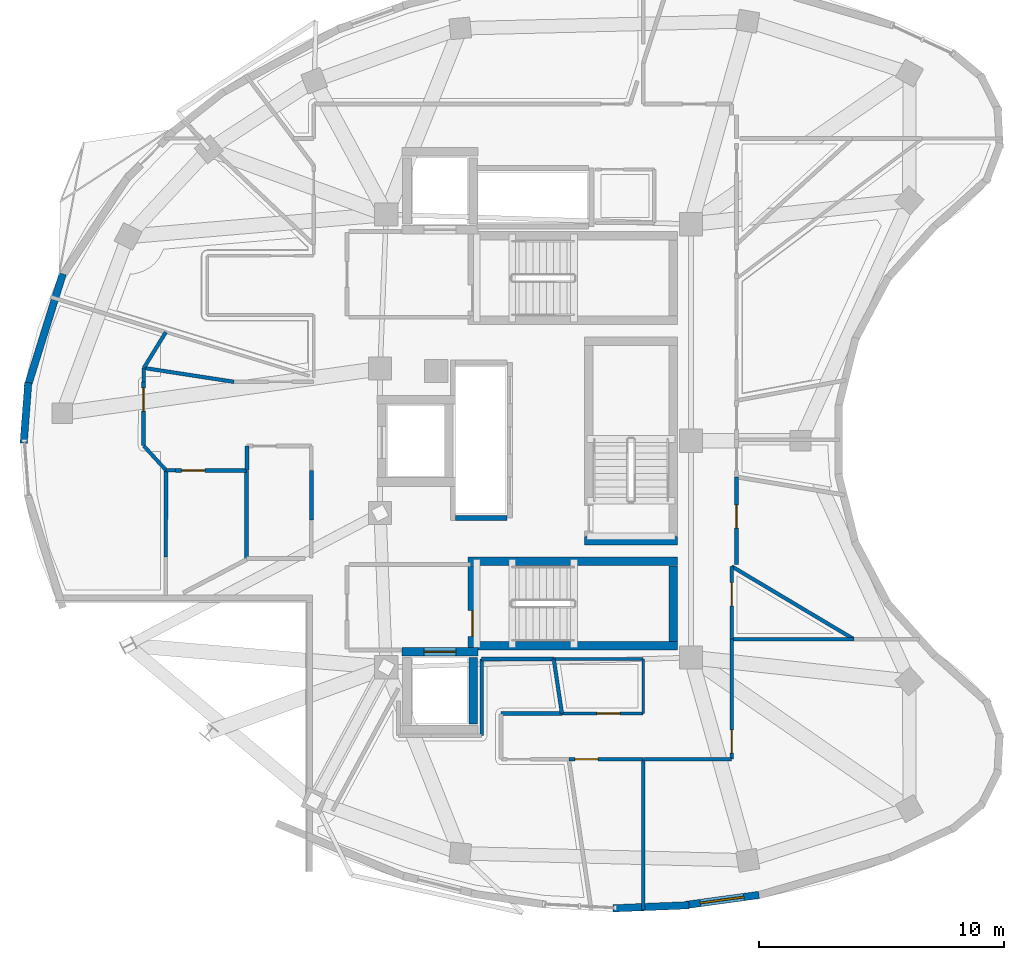
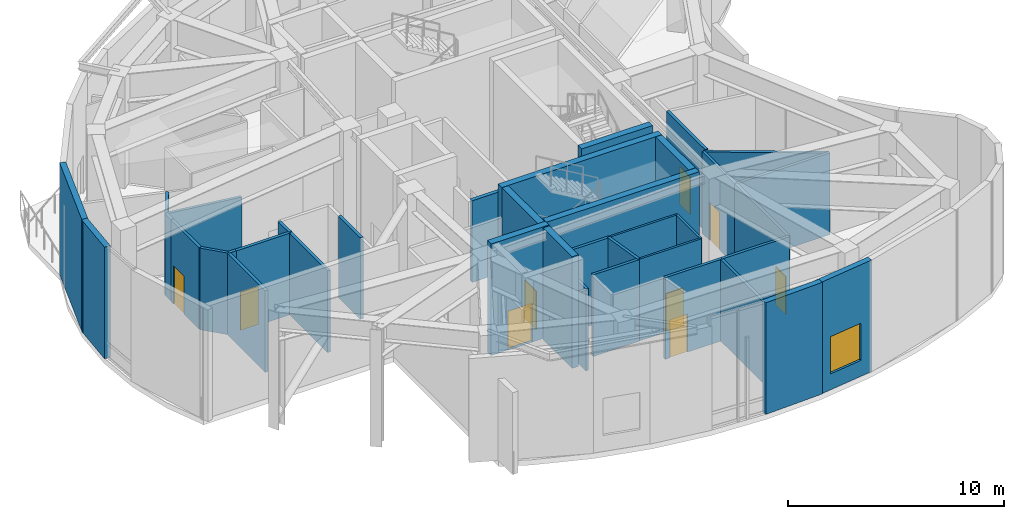
# One storey, part 6 of 12: 38 walls, 9 doors, 1 window, 10 openings.
"""IFC4 building model written with IfcOpenShell, lengths in metres."""

import ifcopenshell
import ifcopenshell.guid

model = None  # the IFC model being written
_history = None  # IfcOwnerHistory: only IFC2X3 demands one
_inside = {}  # id of a spatial element -> (the spatial element, [elements in it])
_under = {}  # id of a project, library or spatial element -> (it, [spatial elements below it])
_declared = {}  # id of a project -> (the project, [libraries it declares])
_typed = {}  # id of a type object -> (the type object, [elements of that type])
_made_of = {}  # id of a material, layer set ... -> (it, [elements and type objects made of it])


def new_model(schema):
    """Start an empty IFC model of exactly this schema.

    Asked for "IFC4X3", IfcOpenShell would pick the latest addendum, in which some entities
    have other attributes; the version numbers below select the first issue.
    IFC2X3 requires an IfcOwnerHistory on every rooted entity: one is made here for all.
    """
    global model, _history
    if schema == "IFC4X3":
        model = ifcopenshell.file(schema_version=(4, 3, 0, 0))
    else:
        model = ifcopenshell.file(schema=schema)
    _inside.clear()
    _under.clear()
    _declared.clear()
    _typed.clear()
    _made_of.clear()
    _history = None
    if model.schema == "IFC2X3":
        org = make("IfcOrganization", Name="unknown")
        user = make(
            "IfcPersonAndOrganization",
            ThePerson=make("IfcPerson", FamilyName="unknown"),
            TheOrganization=org,
        )
        app = make(
            "IfcApplication",
            ApplicationDeveloper=org,
            Version="unknown",
            ApplicationFullName="unknown",
            ApplicationIdentifier="unknown",
        )
        _history = make(
            "IfcOwnerHistory",
            OwningUser=user,
            OwningApplication=app,
            ChangeAction="ADDED",
            CreationDate=0,
        )
    return model


def make(cls, **values):
    """One entity of the class cls with the attributes given. An attribute that is None is left unset."""
    return model.create_entity(
        cls, **{name: value for name, value in values.items() if value is not None}
    )


def rooted(cls, **values):
    """An entity with a GlobalId (a new one), such as an element, a storey or a relation."""
    return make(cls, GlobalId=ifcopenshell.guid.new(), OwnerHistory=_history, **values)


def si_unit(unit_type, name, prefix=None):
    """IfcSIUnit, for example si_unit("LENGTHUNIT", "METRE", prefix="MILLI")."""
    return make("IfcSIUnit", UnitType=unit_type, Prefix=prefix, Name=name)


def assignment(units):
    """IfcUnitAssignment: the units of a project."""
    return None if units is None else make("IfcUnitAssignment", Units=units)


def point(xyz):
    """IfcCartesianPoint."""
    return None if xyz is None else make("IfcCartesianPoint", Coordinates=xyz)


def direction(xyz):
    """IfcDirection."""
    return None if xyz is None else make("IfcDirection", DirectionRatios=xyz)


def frame(location, z_axis=None, x_axis=None):
    """IfcAxis2Placement3D, a coordinate frame: its origin and axes. An axis left out is left unset."""
    return make(
        "IfcAxis2Placement3D",
        Location=point(location),
        Axis=direction(z_axis),
        RefDirection=direction(x_axis),
    )


def frame_2d(location, x_axis=None):
    """IfcAxis2Placement2D, a coordinate frame in the plane: its origin and x axis."""
    return make(
        "IfcAxis2Placement2D", Location=point(location), RefDirection=direction(x_axis)
    )


def origin():
    """The frame at (0, 0, 0) with its axes left unset."""
    return frame((0.0, 0.0, 0.0))


def place(relative_to, where):
    """IfcLocalPlacement: puts the frame where relative to a parent placement (None: the world)."""
    return make(
        "IfcLocalPlacement", PlacementRelTo=relative_to, RelativePlacement=where
    )


def context(
    kind, dimensions, precision=None, world=None, true_north=None, identifier=None
):
    """IfcGeometricRepresentationContext, for example the 3D "Model" context."""
    return make(
        "IfcGeometricRepresentationContext",
        ContextIdentifier=identifier,
        ContextType=kind,
        CoordinateSpaceDimension=dimensions,
        Precision=precision,
        WorldCoordinateSystem=world,
        TrueNorth=true_north,
    )


def subcontext(parent, identifier, kind, view, scale=None):
    """IfcGeometricRepresentationSubContext, for example "Body" below "Model"."""
    return make(
        "IfcGeometricRepresentationSubContext",
        ContextIdentifier=identifier,
        ContextType=kind,
        ParentContext=parent,
        TargetScale=scale,
        TargetView=view,
    )


def project(units=None, contexts=None):
    """IfcProject with its units and contexts."""
    return rooted(
        "IfcProject",
        Name="project",
        RepresentationContexts=contexts,
        UnitsInContext=assignment(units),
    )


def spatial(cls, under=None, at=None, **own):
    """A site, building, storey or space (cls), placed at a placement, below another one or the project."""
    s = rooted(cls, ObjectPlacement=at, **own)
    if under is not None:
        _under.setdefault(under.id(), (under, []))[1].append(s)
    return s


def profile(cls, at=None, kind="AREA", **sizes):
    """A parametric profile (cls). Its sizes go by their IFC names, for example OverallWidth=200.0."""
    return make(cls, ProfileType=kind, Position=at, **sizes)


def rectangle(**sizes):
    """IfcRectangleProfileDef."""
    return profile("IfcRectangleProfileDef", **sizes)


def extrude(swept, where, along, depth):
    """IfcExtrudedAreaSolid: the profile swept, set in the frame where, extruded along a direction by depth."""
    return make(
        "IfcExtrudedAreaSolid",
        SweptArea=swept,
        Position=where,
        ExtrudedDirection=direction(along),
        Depth=depth,
    )


def shape(context_of_items, identifier, shape_type, items):
    """IfcShapeRepresentation: the items that make up one representation, for example the "Body"."""
    return make(
        "IfcShapeRepresentation",
        ContextOfItems=context_of_items,
        RepresentationIdentifier=identifier,
        RepresentationType=shape_type,
        Items=items,
    )


def material(Name=None, Category=None):
    """IfcMaterial."""
    return make("IfcMaterial", Name=Name, Category=Category)


def layer(
    of_material, thickness, ventilated=None, Name=None, Category=None, Priority=None
):
    """IfcMaterialLayer: one layer of a wall or slab, of a material (None: an air gap)."""
    return make(
        "IfcMaterialLayer",
        Material=of_material,
        LayerThickness=thickness,
        IsVentilated=ventilated,
        Name=Name,
        Category=Category,
        Priority=Priority,
    )


def layer_set(layers, Name=None):
    """IfcMaterialLayerSet."""
    return make("IfcMaterialLayerSet", MaterialLayers=layers, LayerSetName=Name)


def made_of(thing, what):
    """Note that an element or type object is made of a material, layer set ...; save() writes the relation."""
    if what is not None:
        _made_of.setdefault(what.id(), (what, []))[1].append(thing)
    return thing


def type_object(cls, material=None, **own):
    """A type object (cls), such as IfcWallType, which elements share."""
    return made_of(rooted(cls, **own), material)


def element(
    cls,
    number,
    at=None,
    inside=None,
    cuts=None,
    type_object=None,
    material=None,
    context=None,
    identifier="Body",
    shape_type=None,
    held_by="IfcProductDefinitionShape",
    body=None,
    shapes=None,
    **own,
):
    """One element of the class cls, such as IfcWall. Its Tag is "e" and its number.

    at: its placement. inside: the storey or other place that contains it. cuts: it is an
    opening in that element (IfcRelVoidsElement). A single representation is given by context,
    identifier, shape_type and body (its items); several are given by shapes. held_by: the class
    of the entity that holds the representations. save() writes the other relations.
    """
    e = rooted(cls, Tag="e%d" % number, ObjectPlacement=at, **own)
    if body is not None:
        shapes = [shape(context, identifier, shape_type, body)]
    if shapes is not None:
        e.Representation = make(held_by, Representations=shapes)
    if inside is not None:
        _inside.setdefault(inside.id(), (inside, []))[1].append(e)
    if cuts is not None:
        rooted(
            "IfcRelVoidsElement", RelatingBuildingElement=cuts, RelatedOpeningElement=e
        )
    if type_object is not None:
        _typed.setdefault(type_object.id(), (type_object, []))[1].append(e)
    return made_of(e, material)


def fill(opening, filler):
    """IfcRelFillsElement: the door or window that sits in an opening."""
    return rooted(
        "IfcRelFillsElement",
        RelatingOpeningElement=opening,
        RelatedBuildingElement=filler,
    )


def aggregate(whole, parts):
    """IfcRelAggregates: a whole, such as a stair, and the parts it consists of."""
    return rooted("IfcRelAggregates", RelatingObject=whole, RelatedObjects=parts)


def save(model, path):
    """Write the relations noted so far, then the file.

    IfcRelAggregates (storeys below a building ...), IfcRelContainedInSpatialStructure (elements
    in a storey), IfcRelDefinesByType, IfcRelAssociatesMaterial and IfcRelDeclares: one each for
    every whole, place, type object, material and project.
    """
    for whole, parts in _under.values():
        aggregate(whole, parts)
    for where, things in _inside.values():
        rooted(
            "IfcRelContainedInSpatialStructure",
            RelatedElements=things,
            RelatingStructure=where,
        )
    for kind, things in _typed.values():
        rooted("IfcRelDefinesByType", RelatedObjects=things, RelatingType=kind)
    for what, things in _made_of.values():
        rooted("IfcRelAssociatesMaterial", RelatedObjects=things, RelatingMaterial=what)
    for by, libraries in _declared.values():
        rooted("IfcRelDeclares", RelatingContext=by, RelatedDefinitions=libraries)
    model.write(path)


model = new_model("IFC4")

# Units and contexts
model_context = context("Model", 3, precision=1e-05, world=origin(), true_north=direction((0.0, 1.0)))
body_context = subcontext(model_context, "Body", "Model", "MODEL_VIEW")
ifc_project = project(units=[si_unit("LENGTHUNIT", "METRE"), si_unit("AREAUNIT", "SQUARE_METRE"), si_unit("VOLUMEUNIT", "CUBIC_METRE"), si_unit("PLANEANGLEUNIT", "RADIAN"), si_unit("MASSUNIT", "GRAM", prefix="KILO")], contexts=[model_context])

# Site, building, storey
site_placement = place(None, origin())
site = spatial("IfcSite", under=ifc_project, at=site_placement, CompositionType="ELEMENT")
building_placement = place(site_placement, origin())
building = spatial("IfcBuilding", under=site, at=building_placement, Name="Korentha Bioscience Tower", CompositionType="ELEMENT")
storey_placement = place(building_placement, frame((0.0, 0.0, 291.0)))
storey = spatial("IfcBuildingStorey", under=building, at=storey_placement, Name="L67", CompositionType="ELEMENT", Elevation=291.0)

# Wall, opening, door
ifc_material_1 = material(Name="Double-Stud Acoustic Gypsum", Category="gypsum")
ifc_layer_1 = layer(ifc_material_1, 0.14990234375, Name="Double-Stud Acoustic Gypsum")
ifc_layer_set_1 = layer_set([ifc_layer_1], Name="Double-Stud Acoustic Gypsum (IW-L150)")
wall_type_1 = type_object("IfcWallType", Name="Acoustic Laboratory Partition Wall 150", PredefinedType="PARTITIONING", material=ifc_layer_set_1)
wall_1_placement = place(storey_placement, frame((15.18994140625, 29.39990234375, 0.0), z_axis=(0.0, 0.0, 1.0), x_axis=(0.0, -1.0, 0.0)))
wall_1 = element("IfcWall", 1, at=wall_1_placement, inside=storey, type_object=wall_type_1, Name="L67 Staff Pantry Kitchenette 01 Entrance Wall", PredefinedType="PARTITIONING", context=body_context, shape_type="SweptSolid", body=[
    extrude(rectangle(XDim=2.599853515625, YDim=0.14990234375, at=frame_2d((1.2998046875, 0.0))), origin(), (0.0, 0.0, 1.0), 4.610107421875),
])
opening_1_placement = place(wall_1_placement, frame((0.239990234375, 0.0, 0.0)))
opening_1 = element("IfcOpeningElement", 2, at=opening_1_placement, cuts=wall_1, Name="Opening ID-10R", PredefinedType="OPENING", context=body_context, shape_type="SweptSolid", body=[
    extrude(rectangle(XDim=0.949951171875, YDim=2.14990234375, at=frame_2d((0.47509765625, 1.074951171875))), frame((0.0, 0.08984375, 0.0), z_axis=(0.0, -1.0, 0.0), x_axis=(1.0, 0.0, 0.0)), (0.0, 0.0, 1.0), 0.1796875),
])
ifc_material_2 = material(Name="Phenolic Laminate Timber Core", Category="wood")
door_type_1 = type_object("IfcDoorType", Name="Laboratory Single Leaf Door 950x2150 Right", OperationType="SINGLE_SWING_RIGHT", PredefinedType="DOOR", material=ifc_material_2)
door_1_placement = place(opening_1_placement, origin())
door_1 = element("IfcDoor", 3, at=door_1_placement, inside=storey, type_object=door_type_1, Name="L67 Staff Pantry Kitchenette 01 Door", OperationType="SINGLE_SWING_RIGHT", OverallHeight=2.14990234375, OverallWidth=0.949951171875, PredefinedType="DOOR", context=body_context, shape_type="SweptSolid", body=[
    extrude(rectangle(XDim=0.949951171875, YDim=2.14990234375, at=frame_2d((0.47509765625, 1.074951171875))), frame((0.0, 0.02490234375, 0.0), z_axis=(0.0, -1.0, 0.0), x_axis=(1.0, 0.0, 0.0)), (0.0, 0.0, 1.0), 0.050048828125),
])
fill(opening_1, door_1)

wall_2_placement = place(storey_placement, frame((32.56787109375, 13.989990234375, 0.0), z_axis=(0.0, 0.0, 1.0), x_axis=(1.0, 0.0, 0.0)))
wall_2 = element("IfcWall", 4, at=wall_2_placement, inside=storey, type_object=wall_type_1, Name="L67 Principal Investigator Office 04 Entrance Wall", PredefinedType="PARTITIONING", context=body_context, shape_type="SweptSolid", body=[
    extrude(rectangle(XDim=3.030029296875, YDim=0.14990234375, at=frame_2d((1.51513671875, 0.0))), origin(), (0.0, 0.0, 1.0), 4.610107421875),
])
opening_2_placement = place(wall_2_placement, frame((0.239990234375, 0.0, 0.0)))
opening_2 = element("IfcOpeningElement", 5, at=opening_2_placement, cuts=wall_2, Name="Opening ID-10L", PredefinedType="OPENING", context=body_context, shape_type="SweptSolid", body=[
    extrude(rectangle(XDim=0.949951171875, YDim=2.14990234375, at=frame_2d((0.47509765625, 1.074951171875))), frame((0.0, 0.08984375, 0.0), z_axis=(0.0, -1.0, 0.0), x_axis=(1.0, 0.0, 0.0)), (0.0, 0.0, 1.0), 0.1796875),
])
door_type_2 = type_object("IfcDoorType", Name="Laboratory Single Leaf Door 950x2150 Left", OperationType="SINGLE_SWING_LEFT", PredefinedType="DOOR", material=ifc_material_2)
door_2_placement = place(opening_2_placement, origin())
door_2 = element("IfcDoor", 6, at=door_2_placement, inside=storey, type_object=door_type_2, Name="L67 Principal Investigator Office 04 Door", OperationType="SINGLE_SWING_LEFT", OverallHeight=2.14990234375, OverallWidth=0.949951171875, PredefinedType="DOOR", context=body_context, shape_type="SweptSolid", body=[
    extrude(rectangle(XDim=0.949951171875, YDim=2.14990234375, at=frame_2d((0.47509765625, 1.074951171875))), frame((0.0, 0.02490234375, 0.0), z_axis=(0.0, -1.0, 0.0), x_axis=(1.0, 0.0, 0.0)), (0.0, 0.0, 1.0), 0.050048828125),
])
fill(opening_2, door_2)

wall_3_placement = place(storey_placement, frame((39.2099609375, 14.0, 0.0), z_axis=(0.0, 0.0, 1.0), x_axis=(0.0, 1.0, 0.0)))
wall_3 = element("IfcWall", 7, at=wall_3_placement, inside=storey, type_object=wall_type_1, Name="L67 Public Science Briefing Room 06 Entrance Wall", PredefinedType="PARTITIONING", context=body_context, shape_type="SweptSolid", body=[
    extrude(rectangle(XDim=4.89794921875, YDim=0.14990234375, at=frame_2d((2.448974609375, 0.0))), origin(), (0.0, 0.0, 1.0), 4.610107421875),
])
opening_3_placement = place(wall_3_placement, frame((0.239990234375, 0.0, 0.0)))
opening_3 = element("IfcOpeningElement", 8, at=opening_3_placement, cuts=wall_3, Name="Opening ID-10L", PredefinedType="OPENING", context=body_context, shape_type="SweptSolid", body=[
    extrude(rectangle(XDim=0.949951171875, YDim=2.14990234375, at=frame_2d((0.47509765625, 1.074951171875))), frame((0.0, 0.08984375, 0.0), z_axis=(0.0, -1.0, 0.0), x_axis=(1.0, 0.0, 0.0)), (0.0, 0.0, 1.0), 0.1796875),
])
door_3_placement = place(opening_3_placement, origin())
door_3 = element("IfcDoor", 9, at=door_3_placement, inside=storey, type_object=door_type_2, Name="L67 Public Science Briefing Room 06 Door", OperationType="SINGLE_SWING_LEFT", OverallHeight=2.14990234375, OverallWidth=0.949951171875, PredefinedType="DOOR", context=body_context, shape_type="SweptSolid", body=[
    extrude(rectangle(XDim=0.949951171875, YDim=2.14990234375, at=frame_2d((0.47509765625, 1.074951171875))), frame((0.0, 0.02490234375, 0.0), z_axis=(0.0, -1.0, 0.0), x_axis=(1.0, 0.0, 0.0)), (0.0, 0.0, 1.0), 0.050048828125),
])
fill(opening_3, door_3)

wall_4_placement = place(storey_placement, frame((39.2099609375, 18.907958984375, 0.0), z_axis=(0.0, 0.0, 1.0), x_axis=(0.0, 1.0, 0.0)))
wall_4 = element("IfcWall", 10, at=wall_4_placement, inside=storey, type_object=wall_type_1, Name="L67 Panoramic Refreshment Lounge 07 Entrance Wall", PredefinedType="PARTITIONING", context=body_context, shape_type="SweptSolid", body=[
    extrude(rectangle(XDim=2.96630859375, YDim=0.14990234375, at=frame_2d((1.483154296875, 0.0))), origin(), (0.0, 0.0, 1.0), 4.610107421875),
])
opening_4_placement = place(wall_4_placement, frame((1.348388671875, 0.0, 0.0)))
opening_4 = element("IfcOpeningElement", 11, at=opening_4_placement, cuts=wall_4, Name="Opening ID-10R", PredefinedType="OPENING", context=body_context, shape_type="SweptSolid", body=[
    extrude(rectangle(XDim=0.949951171875, YDim=2.14990234375, at=frame_2d((0.47509765625, 1.074951171875))), frame((0.0, 0.08984375, 0.0), z_axis=(0.0, -1.0, 0.0), x_axis=(1.0, 0.0, 0.0)), (0.0, 0.0, 1.0), 0.1796875),
])
door_4_placement = place(opening_4_placement, origin())
door_4 = element("IfcDoor", 12, at=door_4_placement, inside=storey, type_object=door_type_1, Name="L67 Panoramic Refreshment Lounge 07 Door", OperationType="SINGLE_SWING_RIGHT", OverallHeight=2.14990234375, OverallWidth=0.949951171875, PredefinedType="DOOR", context=body_context, shape_type="SweptSolid", body=[
    extrude(rectangle(XDim=0.949951171875, YDim=2.14990234375, at=frame_2d((0.47509765625, 1.074951171875))), frame((0.0, 0.02490234375, 0.0), z_axis=(0.0, -1.0, 0.0), x_axis=(1.0, 0.0, 0.0)), (0.0, 0.0, 1.0), 0.050048828125),
])
fill(opening_4, door_4)

# Walls
wall_5_placement = place(storey_placement, frame((16.097900390625, 31.436279296875, 0.0), z_axis=(0.0, 0.0, 1.0), x_axis=(-0.52427238129, -0.851550626925, 0.0)))
element("IfcWall", 13, at=wall_5_placement, inside=storey, type_object=wall_type_1, Name="L67 Interior Partition 030", PredefinedType="PARTITIONING", context=body_context, shape_type="SweptSolid", body=[
    extrude(rectangle(XDim=1.712646484375, YDim=0.14990234375, at=frame_2d((0.8564453125, 0.0))), origin(), (0.0, 0.0, 1.0), 4.610107421875),
])
wall_6_placement = place(storey_placement, frame((15.199951171875, 29.977783203125, 0.0), z_axis=(0.0, 0.0, 1.0), x_axis=(0.0, -1.0, 0.0)))
element("IfcWall", 14, at=wall_6_placement, inside=storey, type_object=wall_type_1, Name="L67 Interior Partition 031", PredefinedType="PARTITIONING", context=body_context, shape_type="SweptSolid", body=[
    extrude(rectangle(XDim=0.56787109375, YDim=0.14990234375, at=frame_2d((0.283935546875, 0.0))), origin(), (0.0, 0.0, 1.0), 4.610107421875),
])
wall_7_placement = place(storey_placement, frame((15.199951171875, 26.7900390625, 0.0), z_axis=(0.0, 0.0, 1.0), x_axis=(0.675913896559, -0.736980599771, 0.0)))
element("IfcWall", 15, at=wall_7_placement, inside=storey, type_object=wall_type_1, Name="L67 Interior Partition 033", PredefinedType="PARTITIONING", context=body_context, shape_type="SweptSolid", body=[
    extrude(rectangle(XDim=1.34326171875, YDim=0.14990234375, at=frame_2d((0.671630859375, 0.0))), origin(), (0.0, 0.0, 1.0), 4.610107421875),
])
wall_8_placement = place(storey_placement, frame((16.10791015625, 25.800048828125, 0.0), z_axis=(0.0, 0.0, 1.0), x_axis=(-0.002825236795, -0.999996009011, 0.0)))
element("IfcWall", 16, at=wall_8_placement, inside=storey, type_object=wall_type_1, Name="L67 Interior Partition 034", PredefinedType="PARTITIONING", context=body_context, shape_type="SweptSolid", body=[
    extrude(rectangle(XDim=3.54296875, YDim=0.14990234375, at=frame_2d((1.771484375, 0.0))), origin(), (0.0, 0.0, 1.0), 4.610107421875),
])
wall_9_placement = place(storey_placement, frame((29.0, 14.9541015625, 0.0), z_axis=(0.0, 0.0, 1.0), x_axis=(0.0, 1.0, 0.0)))
element("IfcWall", 17, at=wall_9_placement, inside=storey, type_object=wall_type_1, Name="L67 Interior Partition 043", PredefinedType="PARTITIONING", context=body_context, shape_type="SweptSolid", body=[
    extrude(rectangle(XDim=3.135986328125, YDim=0.14990234375, at=frame_2d((1.56787109375, 0.0))), origin(), (0.0, 0.0, 1.0), 4.610107421875),
])
wall_10_placement = place(storey_placement, frame((29.0, 18.090087890625, 0.0), z_axis=(0.0, 0.0, 1.0), x_axis=(1.0, 0.0, 0.0)))
element("IfcWall", 18, at=wall_10_placement, inside=storey, type_object=wall_type_1, Name="L67 Interior Partition 044", PredefinedType="PARTITIONING", context=body_context, shape_type="SweptSolid", body=[
    extrude(rectangle(XDim=2.945068359375, YDim=0.14990234375, at=frame_2d((1.47265625, 0.0))), origin(), (0.0, 0.0, 1.0), 4.610107421875),
])
wall_11_placement = place(storey_placement, frame((31.945068359375, 18.090087890625, 0.0), z_axis=(0.0, 0.0, 1.0), x_axis=(0.147800361245, -0.989017215834, 0.0)))
element("IfcWall", 19, at=wall_11_placement, inside=storey, type_object=wall_type_1, Name="L67 Interior Partition 045", PredefinedType="PARTITIONING", context=body_context, shape_type="SweptSolid", body=[
    extrude(rectangle(XDim=2.254638671875, YDim=0.14990234375, at=frame_2d((1.12744140625, 0.0))), origin(), (0.0, 0.0, 1.0), 4.610107421875),
])
wall_12_placement = place(storey_placement, frame((32.2783203125, 15.860107421875, 0.0), z_axis=(0.0, 0.0, 1.0), x_axis=(-1.0, 0.0, 0.0)))
element("IfcWall", 20, at=wall_12_placement, inside=storey, type_object=wall_type_1, Name="L67 Interior Partition 046", PredefinedType="PARTITIONING", context=body_context, shape_type="SweptSolid", body=[
    extrude(rectangle(XDim=2.478271484375, YDim=0.14990234375, at=frame_2d((1.2392578125, 0.0))), origin(), (0.0, 0.0, 1.0), 4.610107421875),
])
wall_13_placement = place(storey_placement, frame((35.597900390625, 13.989990234375, 0.0), z_axis=(0.0, 0.0, 1.0), x_axis=(0.0, -1.0, 0.0)))
element("IfcWall", 21, at=wall_13_placement, inside=storey, type_object=wall_type_1, Name="L67 Interior Partition 049", PredefinedType="PARTITIONING", context=body_context, shape_type="SweptSolid", body=[
    extrude(rectangle(XDim=6.156005859375, YDim=0.14990234375, at=frame_2d((3.078125, 0.0))), origin(), (0.0, 0.0, 1.0), 4.610107421875),
])
wall_14_placement = place(storey_placement, frame((35.60791015625, 13.989990234375, 0.0), z_axis=(0.0, 0.0, 1.0), x_axis=(1.0, 0.0, 0.0)))
element("IfcWall", 22, at=wall_14_placement, inside=storey, type_object=wall_type_1, Name="L67 Interior Partition 053", PredefinedType="PARTITIONING", context=body_context, shape_type="SweptSolid", body=[
    extrude(rectangle(XDim=3.592041015625, YDim=0.14990234375, at=frame_2d((1.7958984375, 0.0))), origin(), (0.0, 0.0, 1.0), 4.610107421875),
])
wall_15_placement = place(storey_placement, frame((39.2099609375, 18.89794921875, 0.0), z_axis=(0.0, 0.0, 1.0), x_axis=(1.0, 0.0, 0.0)))
element("IfcWall", 23, at=wall_15_placement, inside=storey, type_object=wall_type_1, Name="L67 Interior Partition 054", PredefinedType="PARTITIONING", context=body_context, shape_type="SweptSolid", body=[
    extrude(rectangle(XDim=4.99267578125, YDim=0.14990234375, at=frame_2d((2.496337890625, 0.0))), origin(), (0.0, 0.0, 1.0), 4.610107421875),
])
wall_16_placement = place(storey_placement, frame((39.2099609375, 21.874267578125, 0.0), z_axis=(0.0, 0.0, 1.0), x_axis=(0.858961945301, -0.512039428682, 0.0)))
element("IfcWall", 24, at=wall_16_placement, inside=storey, type_object=wall_type_1, Name="L67 Interior Partition 055", PredefinedType="PARTITIONING", context=body_context, shape_type="SweptSolid", body=[
    extrude(rectangle(XDim=5.793212890625, YDim=0.14990234375, at=frame_2d((2.896484375, 0.0))), origin(), (0.0, 0.0, 1.0), 4.610107421875),
])
wall_17_placement = place(storey_placement, frame((18.884765625, 29.409912109375, 0.0), z_axis=(0.0, 0.0, 1.0), x_axis=(-0.988332299131, 0.152313054249, 0.0)))
element("IfcWall", 25, at=wall_17_placement, inside=storey, type_object=wall_type_1, Name="L67 Interior Partition 082", PredefinedType="PARTITIONING", context=body_context, shape_type="SweptSolid", body=[
    extrude(rectangle(XDim=3.728271484375, YDim=0.14990234375, at=frame_2d((1.8642578125, 0.0))), origin(), (0.0, 0.0, 1.0), 4.610107421875),
])

# Wall, opening, door
ifc_material_3 = material(Name="Fire-Rated Framed Glass", Category="glass")
ifc_layer_2 = layer(ifc_material_3, 0.110107421875, Name="Fire-Rated Framed Glass")
ifc_layer_set_2 = layer_set([ifc_layer_2], Name="Fire-Rated Framed Glass (IW-G110)")
wall_type_2 = type_object("IfcWallType", Name="Demountable Glazed Office Partition 110", PredefinedType="MOVABLE", material=ifc_layer_set_2)
wall_18_placement = place(storey_placement, frame((35.597900390625, 15.860107421875, 0.0), z_axis=(0.0, 0.0, 1.0), x_axis=(-1.0, 0.0, 0.0)))
wall_18 = element("IfcWall", 26, at=wall_18_placement, inside=storey, type_object=wall_type_2, Name="L67 Climate Telemetry Control Studio 05 Entrance Wall", PredefinedType="MOVABLE", context=body_context, shape_type="SweptSolid", body=[
    extrude(rectangle(XDim=3.3095703125, YDim=0.110107421875, at=frame_2d((1.65478515625, 0.0))), origin(), (0.0, 0.0, 1.0), 4.610107421875),
])
opening_5_placement = place(wall_18_placement, frame((0.94140625, 0.0, 0.0)))
opening_5 = element("IfcOpeningElement", 27, at=opening_5_placement, cuts=wall_18, Name="Opening ID-10R", PredefinedType="OPENING", context=body_context, shape_type="SweptSolid", body=[
    extrude(rectangle(XDim=0.949951171875, YDim=2.14990234375, at=frame_2d((0.47509765625, 1.074951171875))), frame((0.0, 0.06982421875, 0.0), z_axis=(0.0, -1.0, 0.0), x_axis=(1.0, 0.0, 0.0)), (0.0, 0.0, 1.0), 0.139892578125),
])
door_5_placement = place(opening_5_placement, origin())
door_5 = element("IfcDoor", 28, at=door_5_placement, inside=storey, type_object=door_type_1, Name="L67 Climate Telemetry Control Studio 05 Door", OperationType="SINGLE_SWING_RIGHT", OverallHeight=2.14990234375, OverallWidth=0.949951171875, PredefinedType="DOOR", context=body_context, shape_type="SweptSolid", body=[
    extrude(rectangle(XDim=0.949951171875, YDim=2.14990234375, at=frame_2d((0.47509765625, 1.074951171875))), frame((0.0, 0.02490234375, 0.0), z_axis=(0.0, -1.0, 0.0), x_axis=(1.0, 0.0, 0.0)), (0.0, 0.0, 1.0), 0.050048828125),
])
fill(opening_5, door_5)

# Walls
wall_19_placement = place(storey_placement, frame((31.955078125, 18.090087890625, 0.0), z_axis=(0.0, 0.0, 1.0), x_axis=(1.0, 0.0, 0.0)))
element("IfcWall", 29, at=wall_19_placement, inside=storey, type_object=wall_type_2, Name="L67 Interior Partition 050", PredefinedType="MOVABLE", context=body_context, shape_type="SweptSolid", body=[
    extrude(rectangle(XDim=3.642822265625, YDim=0.110107421875, at=frame_2d((1.8212890625, 0.0))), origin(), (0.0, 0.0, 1.0), 4.610107421875),
])
wall_20_placement = place(storey_placement, frame((35.597900390625, 18.090087890625, 0.0), z_axis=(0.0, 0.0, 1.0), x_axis=(0.0, -1.0, 0.0)))
element("IfcWall", 30, at=wall_20_placement, inside=storey, type_object=wall_type_2, Name="L67 Interior Partition 051", PredefinedType="MOVABLE", context=body_context, shape_type="SweptSolid", body=[
    extrude(rectangle(XDim=2.22998046875, YDim=0.110107421875, at=frame_2d((1.114990234375, 0.0))), origin(), (0.0, 0.0, 1.0), 4.610107421875),
])

# Wall, opening, door
ifc_material_4 = material(Name="Gypsum-Clad Steel Stud", Category="steel")
ifc_layer_3 = layer(ifc_material_4, 0.159912109375, Name="Gypsum-Clad Steel Stud")
ifc_layer_set_3 = layer_set([ifc_layer_3], Name="Gypsum-Clad Steel Stud (IW-C160)")
wall_type_3 = type_object("IfcWallType", Name="Fire-Rated Corridor Partition Wall 160", PredefinedType="PARTITIONING", material=ifc_layer_set_3)
wall_21_placement = place(storey_placement, frame((16.5, 25.7900390625, 0.0), z_axis=(0.0, 0.0, 1.0), x_axis=(1.0, 0.0, 0.0)))
wall_21 = element("IfcWall", 31, at=wall_21_placement, inside=storey, type_object=wall_type_3, Name="L67 Biospecimen Archive Store 02 Entrance Wall", PredefinedType="PARTITIONING", context=body_context, shape_type="SweptSolid", body=[
    extrude(rectangle(XDim=2.889892578125, YDim=0.159912109375, at=frame_2d((1.44482421875, 0.0))), origin(), (0.0, 0.0, 1.0), 4.610107421875),
])
opening_6_placement = place(wall_21_placement, frame((0.239990234375, 0.0, 0.0)))
opening_6 = element("IfcOpeningElement", 32, at=opening_6_placement, cuts=wall_21, Name="Opening ID-10L", PredefinedType="OPENING", context=body_context, shape_type="SweptSolid", body=[
    extrude(rectangle(XDim=0.949951171875, YDim=2.14990234375, at=frame_2d((0.47509765625, 1.074951171875))), frame((0.0, 0.0947265625, 0.0), z_axis=(0.0, -1.0, 0.0), x_axis=(1.0, 0.0, 0.0)), (0.0, 0.0, 1.0), 0.189697265625),
])
door_6_placement = place(opening_6_placement, origin())
door_6 = element("IfcDoor", 33, at=door_6_placement, inside=storey, type_object=door_type_2, Name="L67 Biospecimen Archive Store 02 Door", OperationType="SINGLE_SWING_LEFT", OverallHeight=2.14990234375, OverallWidth=0.949951171875, PredefinedType="DOOR", context=body_context, shape_type="SweptSolid", body=[
    extrude(rectangle(XDim=0.949951171875, YDim=2.14990234375, at=frame_2d((0.47509765625, 1.074951171875))), frame((0.0, 0.02490234375, 0.0), z_axis=(0.0, -1.0, 0.0), x_axis=(1.0, 0.0, 0.0)), (0.0, 0.0, 1.0), 0.050048828125),
])
fill(opening_6, door_6)

wall_22_placement = place(storey_placement, frame((39.409912109375, 21.949951171875, 0.0), z_axis=(0.0, 0.0, 1.0), x_axis=(0.0, 1.0, 0.0)))
wall_22 = element("IfcWall", 34, at=wall_22_placement, inside=storey, type_object=wall_type_3, Name="L67 Instrument Calibration Store 08 Entrance Wall", PredefinedType="PARTITIONING", context=body_context, shape_type="SweptSolid", body=[
    extrude(rectangle(XDim=3.576416015625, YDim=0.159912109375, at=frame_2d((1.7880859375, 0.0))), origin(), (0.0, 0.0, 1.0), 4.610107421875),
])
opening_7_placement = place(wall_22_placement, frame((1.489013671875, 0.0, 0.0)))
opening_7 = element("IfcOpeningElement", 35, at=opening_7_placement, cuts=wall_22, Name="Opening ID-10L", PredefinedType="OPENING", context=body_context, shape_type="SweptSolid", body=[
    extrude(rectangle(XDim=0.949951171875, YDim=2.14990234375, at=frame_2d((0.47509765625, 1.074951171875))), frame((0.0, 0.0947265625, 0.0), z_axis=(0.0, -1.0, 0.0), x_axis=(1.0, 0.0, 0.0)), (0.0, 0.0, 1.0), 0.189697265625),
])
door_7_placement = place(opening_7_placement, origin())
door_7 = element("IfcDoor", 36, at=door_7_placement, inside=storey, type_object=door_type_2, Name="L67 Instrument Calibration Store 08 Door", OperationType="SINGLE_SWING_LEFT", OverallHeight=2.14990234375, OverallWidth=0.949951171875, PredefinedType="DOOR", context=body_context, shape_type="SweptSolid", body=[
    extrude(rectangle(XDim=0.949951171875, YDim=2.14990234375, at=frame_2d((0.47509765625, 1.074951171875))), frame((0.0, 0.02490234375, 0.0), z_axis=(0.0, -1.0, 0.0), x_axis=(1.0, 0.0, 0.0)), (0.0, 0.0, 1.0), 0.050048828125),
])
fill(opening_7, door_7)

# Walls
wall_23_placement = place(storey_placement, frame((19.39990234375, 22.199951171875, 0.0), z_axis=(0.0, 0.0, 1.0), x_axis=(0.0, 1.0, 0.0)))
element("IfcWall", 37, at=wall_23_placement, inside=storey, type_object=wall_type_3, Name="L67 Interior Partition 025", PredefinedType="PARTITIONING", context=body_context, shape_type="SweptSolid", body=[
    extrude(rectangle(XDim=3.590087890625, YDim=0.159912109375, at=frame_2d((1.794921875, 0.0))), origin(), (0.0, 0.0, 1.0), 4.610107421875),
])
wall_24_placement = place(storey_placement, frame((19.409912109375, 25.800048828125, 0.0), z_axis=(0.0, 0.0, 1.0), x_axis=(0.0, 1.0, 0.0)))
element("IfcWall", 38, at=wall_24_placement, inside=storey, type_object=wall_type_3, Name="L67 Interior Partition 026", PredefinedType="PARTITIONING", context=body_context, shape_type="SweptSolid", body=[
    extrude(rectangle(XDim=0.989990234375, YDim=0.159912109375, at=frame_2d((0.4951171875, 0.0))), origin(), (0.0, 0.0, 1.0), 4.610107421875),
])
wall_25_placement = place(storey_placement, frame((22.050048828125, 25.7900390625, 0.0), z_axis=(0.0, 0.0, 1.0), x_axis=(0.0, -1.0, 0.0)))
element("IfcWall", 39, at=wall_25_placement, inside=storey, type_object=wall_type_3, Name="L67 Interior Partition 028", PredefinedType="PARTITIONING", context=body_context, shape_type="SweptSolid", body=[
    extrude(rectangle(XDim=2.030029296875, YDim=0.159912109375, at=frame_2d((1.01513671875, 0.0))), origin(), (0.0, 0.0, 1.0), 4.610107421875),
])
wall_26_placement = place(storey_placement, frame((16.10791015625, 25.800048828125, 0.0), z_axis=(0.0, 0.0, 1.0), x_axis=(1.0, 0.0, 0.0)))
element("IfcWall", 40, at=wall_26_placement, inside=storey, type_object=wall_type_3, Name="L67 Interior Partition 036", PredefinedType="PARTITIONING", context=body_context, shape_type="SweptSolid", body=[
    extrude(rectangle(XDim=0.382080078125, YDim=0.159912109375, at=frame_2d((0.19091796875, 0.0))), origin(), (0.0, 0.0, 1.0), 4.610107421875),
])

# Wall, opening, window
ifc_material_5 = material(Name="Honed Limestone Precast Concrete C40", Category="masonry")
ifc_layer_4 = layer(ifc_material_5, 0.300048828125, Name="Honed Limestone Precast Concrete C40")
ifc_layer_set_4 = layer_set([ifc_layer_4], Name="Honed Limestone Precast Concrete C40 (EW-ST300)")
wall_type_4 = type_object("IfcWallType", Name="Honed Limestone Cavity Spandrel Wall 300", PredefinedType="STANDARD", material=ifc_layer_set_4)
wall_27_placement = place(storey_placement, frame((37.311279296875, 8.037841796875, 0.0), z_axis=(0.0, 0.0, 1.0), x_axis=(0.990747543086, 0.135717743381, 0.0)))
wall_27 = element("IfcWall", 41, at=wall_27_placement, inside=storey, type_object=wall_type_4, Name="L67 Honed Limestone Spandrel Wall 33", PredefinedType="STANDARD", context=body_context, shape_type="SweptSolid", body=[
    extrude(rectangle(XDim=3.04541015625, YDim=0.300048828125, at=frame_2d((1.522705078125, 0.0))), origin(), (0.0, 0.0, 1.0), 6.300048828125),
])
opening_8_placement = place(wall_27_placement, frame((0.622802734375, 0.0, 0.89990234375)))
opening_8 = element("IfcOpeningElement", 42, at=opening_8_placement, cuts=wall_27, Name="Opening WN-01", PredefinedType="OPENING", context=body_context, shape_type="SweptSolid", body=[
    extrude(rectangle(XDim=1.800048828125, YDim=2.10009765625, at=frame_2d((0.89990234375, 1.050048828125))), frame((0.0, 0.1650390625, 0.0), z_axis=(0.0, -1.0, 0.0), x_axis=(1.0, 0.0, 0.0)), (0.0, 0.0, 1.0), 0.329833984375),
])
ifc_material_6 = material(Name="Thermally Broken Aluminium Triple Glazing", Category="aluminium")
window_type = type_object("IfcWindowType", Name="Triple-Glazed Fixed Bioscience Window 1800x2100", PartitioningType="SINGLE_PANEL", PredefinedType="WINDOW", material=ifc_material_6)
window_placement = place(opening_8_placement, origin())
window = element("IfcWindow", 43, at=window_placement, inside=storey, type_object=window_type, Name="L67 Facade Window 33", OverallHeight=2.10009765625, OverallWidth=1.800048828125, PartitioningType="SINGLE_PANEL", PredefinedType="WINDOW", context=body_context, shape_type="SweptSolid", body=[
    extrude(rectangle(XDim=1.800048828125, YDim=2.10009765625, at=frame_2d((0.89990234375, 1.050048828125))), frame((0.0, 0.030029296875, 0.0), z_axis=(0.0, -1.0, 0.0), x_axis=(1.0, 0.0, 0.0)), (0.0, 0.0, 1.0), 0.06005859375),
])
fill(opening_8, window)

# Walls
wall_28_placement = place(storey_placement, frame((11.89111328125, 33.822998046875, 0.0), z_axis=(0.0, 0.0, 1.0), x_axis=(-0.297974306034, -0.954573890772, 0.0)))
element("IfcWall", 44, at=wall_28_placement, inside=storey, type_object=wall_type_4, Name="L67 Limestone Perimeter Closure Wall 16", PredefinedType="STANDARD", context=body_context, shape_type="SweptSolid", body=[
    extrude(rectangle(XDim=4.8544921875, YDim=0.300048828125, at=frame_2d((2.42724609375, 0.0))), origin(), (0.0, 0.0, 1.0), 6.300048828125),
])
wall_29_placement = place(storey_placement, frame((10.48046875, 29.376220703125, 0.0), z_axis=(0.0, 0.0, 1.0), x_axis=(-0.076379552952, -0.997078815285, 0.0)))
element("IfcWall", 45, at=wall_29_placement, inside=storey, type_object=wall_type_4, Name="L67 Limestone Perimeter Closure Wall 18", PredefinedType="STANDARD", context=body_context, shape_type="SweptSolid", body=[
    extrude(rectangle(XDim=2.47412109375, YDim=0.300048828125, at=frame_2d((1.237060546875, 0.0))), origin(), (0.0, 0.0, 1.0), 6.300048828125),
])
wall_30_placement = place(storey_placement, frame((34.368408203125, 7.9033203125, 0.0), z_axis=(0.0, 0.0, 1.0), x_axis=(0.999155038247, 0.041099994481, 0.0)))
element("IfcWall", 46, at=wall_30_placement, inside=storey, type_object=wall_type_4, Name="L67 Limestone Perimeter Closure Wall 32", PredefinedType="STANDARD", context=body_context, shape_type="SweptSolid", body=[
    extrude(rectangle(XDim=3.100830078125, YDim=0.300048828125, at=frame_2d((1.55029296875, 0.0))), origin(), (0.0, 0.0, 1.0), 6.300048828125),
])
ifc_material_7 = material(Name="Autoclaved Aerated Concrete Block C25", Category="concrete")
ifc_layer_5 = layer(ifc_material_7, 0.199951171875, Name="Autoclaved Aerated Concrete Block C25")
ifc_layer_set_5 = layer_set([ifc_layer_5], Name="Autoclaved Aerated Concrete Block C25 (IW-S200)")
wall_type_5 = type_object("IfcWallType", Name="Lift and Riser Shaft Enclosure Wall 200", PredefinedType="PARTITIONING", material=ifc_layer_set_5)
wall_31_placement = place(storey_placement, frame((27.93408203125, 23.85009765625, 0.0), z_axis=(0.0, 0.0, 1.0), x_axis=(1.0, 0.0, 0.0)))
element("IfcWall", 47, at=wall_31_placement, inside=storey, type_object=wall_type_5, Name="L67 Lift Bank HIGH Shaft Wall -Y", PredefinedType="PARTITIONING", context=body_context, shape_type="SweptSolid", body=[
    extrude(rectangle(XDim=2.095947265625, YDim=0.199951171875, at=frame_2d((1.0478515625, 0.0))), origin(), (0.0, 0.0, 1.0), 4.610107421875),
])
ifc_material_8 = material(Name="Concrete C50", Category="concrete")
ifc_layer_6 = layer(ifc_material_8, 0.35009765625, Name="Concrete C50")
ifc_layer_set_6 = layer_set([ifc_layer_6], Name="Concrete C50 (CW-C50)")
wall_type_6 = type_object("IfcWallType", Name="Upper Core Shear Wall 350", PredefinedType="SHEAR", material=ifc_layer_set_6)
wall_32_placement = place(storey_placement, frame((28.85205078125, 18.625, 0.0), z_axis=(0.0, 0.0, 1.0), x_axis=(1.0, 0.0, 0.0)))
element("IfcWall", 48, at=wall_32_placement, inside=storey, type_object=wall_type_6, Name="L67 Core Shear Wall ST2-S", PredefinedType="SHEAR", context=body_context, shape_type="SweptSolid", body=[
    extrude(rectangle(XDim=8.14794921875, YDim=0.35009765625, at=frame_2d((4.073974609375, 0.0))), origin(), (0.0, 0.0, 1.0), 6.300048828125),
])
wall_33_placement = place(storey_placement, frame((28.449951171875, 22.074951171875, 0.0), z_axis=(0.0, 0.0, 1.0), x_axis=(1.0, 0.0, 0.0)))
element("IfcWall", 49, at=wall_33_placement, inside=storey, type_object=wall_type_6, Name="L67 Core Shear Wall ST2-N", PredefinedType="SHEAR", context=body_context, shape_type="SweptSolid", body=[
    extrude(rectangle(XDim=8.550048828125, YDim=0.35009765625, at=frame_2d((4.27490234375, 0.0))), origin(), (0.0, 0.0, 1.0), 6.300048828125),
])
wall_34_placement = place(storey_placement, frame((36.824951171875, 18.81005859375, 0.0), z_axis=(0.0, 0.0, 1.0), x_axis=(0.0, 1.0, 0.0)))
element("IfcWall", 50, at=wall_34_placement, inside=storey, type_object=wall_type_6, Name="L67 Core Shear Wall ST2-E", PredefinedType="SHEAR", context=body_context, shape_type="SweptSolid", body=[
    extrude(rectangle(XDim=3.079833984375, YDim=0.35009765625, at=frame_2d((1.5400390625, 0.0))), origin(), (0.0, 0.0, 1.0), 6.300048828125),
])

# Wall, opening, door
wall_35_placement = place(storey_placement, frame((28.625, 18.556884765625, 0.0), z_axis=(0.0, 0.0, 1.0), x_axis=(0.0, 1.0, 0.0)))
wall_35 = element("IfcWall", 51, at=wall_35_placement, inside=storey, type_object=wall_type_6, Name="L67 Core Shear Wall ST2-W", PredefinedType="SHEAR", context=body_context, shape_type="SweptSolid", body=[
    extrude(rectangle(XDim=3.3330078125, YDim=0.35009765625, at=frame_2d((1.66650390625, 0.0))), origin(), (0.0, 0.0, 1.0), 6.300048828125),
])
opening_9_placement = place(wall_35_placement, frame((0.452880859375, 0.0, 0.0)))
opening_9 = element("IfcOpeningElement", 52, at=opening_9_placement, cuts=wall_35, Name="Opening FD-90R", PredefinedType="OPENING", context=body_context, shape_type="SweptSolid", body=[
    extrude(rectangle(XDim=1.050048828125, YDim=2.14990234375, at=frame_2d((0.52490234375, 1.074951171875))), frame((0.0, 0.18994140625, 0.0), z_axis=(0.0, -1.0, 0.0), x_axis=(1.0, 0.0, 0.0)), (0.0, 0.0, 1.0), 0.3798828125),
])
ifc_material_9 = material(Name="Powder-Coated Fire-Rated Steel", Category="steel")
door_type_3 = type_object("IfcDoorType", Name="Stairwell Fire Exit Door 1050x2150 Right", OperationType="SINGLE_SWING_RIGHT", PredefinedType="DOOR", material=ifc_material_9)
door_8_placement = place(opening_9_placement, origin())
door_8 = element("IfcDoor", 53, at=door_8_placement, inside=storey, type_object=door_type_3, Name="L67 ST-2 Fire Exit Stair Door", OperationType="SINGLE_SWING_RIGHT", OverallHeight=2.14990234375, OverallWidth=1.050048828125, PredefinedType="DOOR", context=body_context, shape_type="SweptSolid", body=[
    extrude(rectangle(XDim=1.050048828125, YDim=2.14990234375, at=frame_2d((0.52490234375, 1.074951171875))), frame((0.0, 0.02490234375, 0.0), z_axis=(0.0, -1.0, 0.0), x_axis=(1.0, 0.0, 0.0)), (0.0, 0.0, 1.0), 0.050048828125),
])
fill(opening_9, door_8)

# Wall
wall_36_placement = place(storey_placement, frame((33.199951171875, 22.925048828125, 0.0), z_axis=(0.0, 0.0, 1.0), x_axis=(1.0, 0.0, 0.0)))
element("IfcWall", 54, at=wall_36_placement, inside=storey, type_object=wall_type_6, Name="L67 Core Shear Wall ST3-S", PredefinedType="SHEAR", context=body_context, shape_type="SweptSolid", body=[
    extrude(rectangle(XDim=3.800048828125, YDim=0.35009765625, at=frame_2d((1.89990234375, 0.0))), origin(), (0.0, 0.0, 1.0), 6.300048828125),
])

# Wall, opening, door
wall_37_placement = place(storey_placement, frame((25.75, 18.3798828125, 0.0), z_axis=(0.0, 0.0, 1.0), x_axis=(1.0, 0.0, 0.0)))
wall_37 = element("IfcWall", 55, at=wall_37_placement, inside=storey, type_object=wall_type_6, Name="L67 Core Shear Wall FFL1-N", PredefinedType="SHEAR", context=body_context, shape_type="SweptSolid", body=[
    extrude(rectangle(XDim=3.10009765625, YDim=0.35009765625, at=frame_2d((1.550048828125, 0.0))), origin(), (0.0, 0.0, 1.0), 6.300048828125),
])
opening_10_placement = place(wall_37_placement, frame((0.89990234375, 0.0, 0.0)))
opening_10 = element("IfcOpeningElement", 56, at=opening_10_placement, cuts=wall_37, Name="Opening LD-13", PredefinedType="OPENING", context=body_context, shape_type="SweptSolid", body=[
    extrude(rectangle(XDim=1.300048828125, YDim=2.199951171875, at=frame_2d((0.64990234375, 1.10009765625))), frame((0.0, 0.18994140625, 0.0), z_axis=(0.0, -1.0, 0.0), x_axis=(1.0, 0.0, 0.0)), (0.0, 0.0, 1.0), 0.3798828125),
])
ifc_material_10 = material(Name="Brushed Stainless Steel 316", Category="steel")
door_type_4 = type_object("IfcDoorType", Name="Service & Firefighting Lift Landing Door 1300x2300", OperationType="DOUBLE_DOOR_SLIDING", PredefinedType="DOOR", material=ifc_material_10)
door_9_placement = place(opening_10_placement, origin())
door_9 = element("IfcDoor", 57, at=door_9_placement, inside=storey, type_object=door_type_4, Name="L67 FFL-1 Sliding Lift Landing Door", OperationType="DOUBLE_DOOR_SLIDING", OverallHeight=2.199951171875, OverallWidth=1.300048828125, PredefinedType="DOOR", context=body_context, shape_type="SweptSolid", body=[
    extrude(rectangle(XDim=1.300048828125, YDim=2.199951171875, at=frame_2d((0.64990234375, 1.10009765625))), frame((0.0, 0.02490234375, 0.0), z_axis=(0.0, -1.0, 0.0), x_axis=(1.0, 0.0, 0.0)), (0.0, 0.0, 1.0), 0.050048828125),
])
fill(opening_10, door_9)

# Wall
wall_38_placement = place(storey_placement, frame((28.64990234375, 15.43994140625, 0.0), z_axis=(0.0, 0.0, 1.0), x_axis=(0.0, 1.0, 0.0)))
element("IfcWall", 58, at=wall_38_placement, inside=storey, type_object=wall_type_6, Name="L67 Core Shear Wall FFL1-E", PredefinedType="SHEAR", context=body_context, shape_type="SweptSolid", body=[
    extrude(rectangle(XDim=2.699951171875, YDim=0.35009765625, at=frame_2d((1.35009765625, 0.0))), origin(), (0.0, 0.0, 1.0), 6.300048828125),
])

save(model, "model.ifc")
